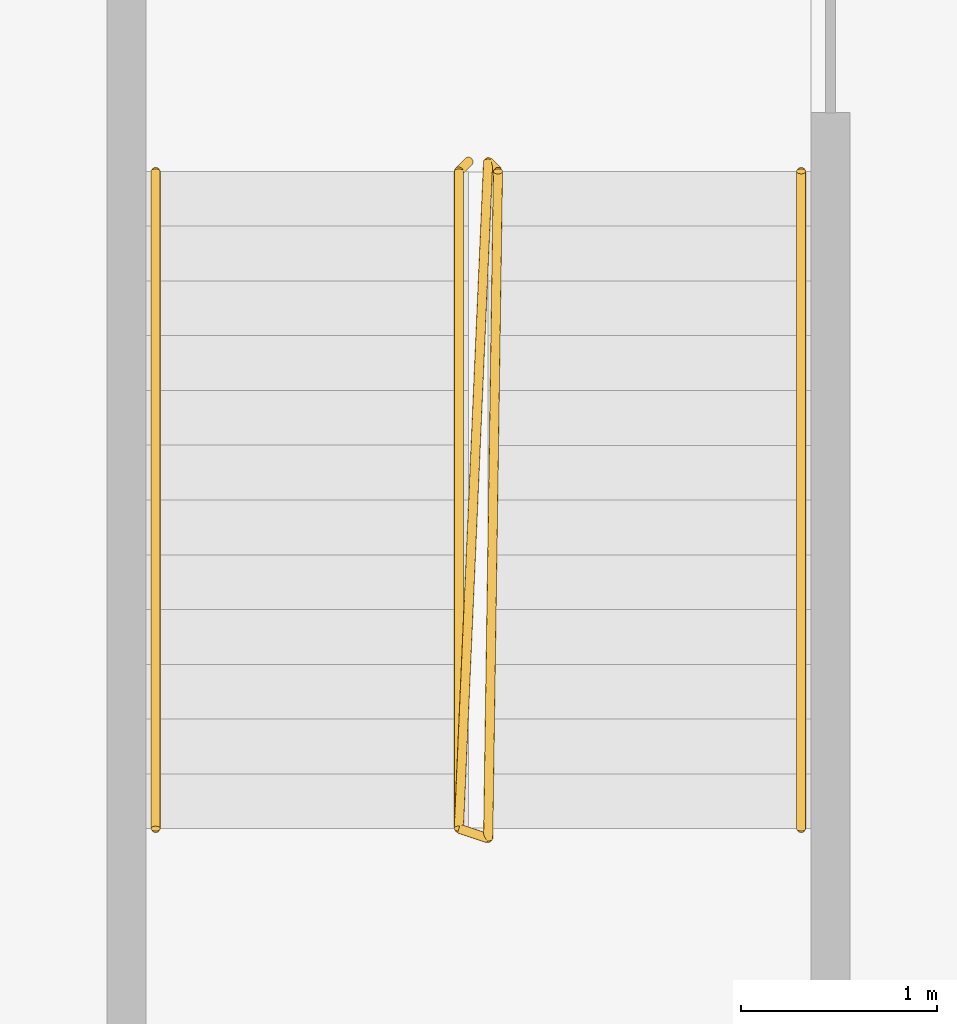
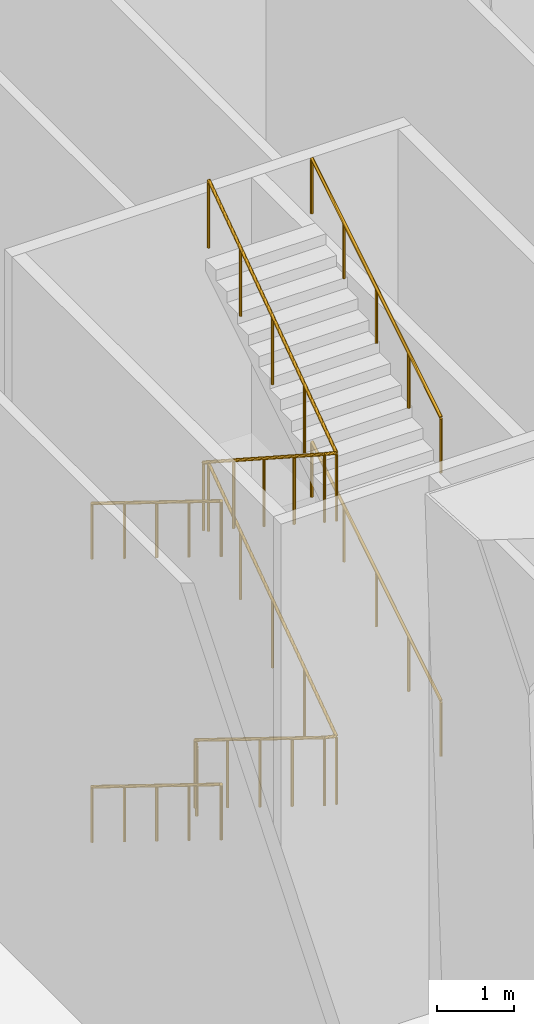
# One storey, part 17 of 21: 5 railings.
"""IFC4 building model written with IfcOpenShell, lengths in metres."""

from ifc_helpers import new_model, si_unit, direction, frame, origin, origin_2d, place, context, subcontext, project, spatial, circle, extrude, material, type_object, element, save


model = new_model("IFC4")

# Units and contexts
model_context = context("Model", 3, precision=1e-05, world=origin(), true_north=direction((0.0, 1.0)))
body_context = subcontext(model_context, "Body", "Model", "MODEL_VIEW")
ifc_project = project(units=[si_unit("LENGTHUNIT", "METRE"), si_unit("AREAUNIT", "SQUARE_METRE"), si_unit("VOLUMEUNIT", "CUBIC_METRE"), si_unit("PLANEANGLEUNIT", "RADIAN"), si_unit("MASSUNIT", "GRAM", prefix="KILO")], contexts=[model_context])

# Site, building, storey
site_placement = place(None, origin())
site = spatial("IfcSite", under=ifc_project, at=site_placement, CompositionType="ELEMENT")
building_placement = place(site_placement, origin())
building = spatial("IfcBuilding", under=site, at=building_placement, Name="Altiplano Prism Tower", CompositionType="ELEMENT")
storey_placement = place(building_placement, origin())
storey = spatial("IfcBuildingStorey", under=building, at=storey_placement, Name="L00", CompositionType="ELEMENT", Elevation=0.0)

# Railings
ifc_material = material(Name="Steel S355", Category="steel")
railing_type_1 = type_object("IfcRailingType", Name="Stair guard 1100", PredefinedType="GUARDRAIL", material=ifc_material)
railing_1_placement = place(storey_placement, frame((83.85009765625, 58.39990234375, 0.0)))
element("IfcRailing", 1, at=railing_1_placement, inside=storey, type_object=railing_type_1, Name="L00 ST4 stair guard 1", PredefinedType="GUARDRAIL", context=body_context, shape_type="SweptSolid", body=[
    extrude(circle(Radius=0.02392578125, at=origin_2d()), frame((0.0, 0.0, 1.076171875), z_axis=(-0.267723051232, -0.266417085129, 0.925929967433), x_axis=(0.705375805398, -0.708833529934, 0.0)), (0.0, 0.0, 1.0), 0.18701171875),
    extrude(circle(Radius=0.02392578125, at=origin_2d()), frame((-0.050048828125, -0.0498046875, 1.2490234375), z_axis=(0.0, -0.850623216509, 0.525775754039), x_axis=(1.0, 0.0, 0.0)), (0.0, 0.0, 1.0), 3.9501953125),
    extrude(circle(Radius=0.02392578125, at=origin_2d()), frame((-0.050048828125, -3.409912109375, 3.326171875), z_axis=(0.948528701346, -0.316691178788, 0.0), x_axis=(0.316691178788, 0.948528701346, 0.0)), (0.0, 0.0, 1.0), 0.157958984375),
    extrude(circle(Radius=0.02392578125, at=origin_2d()), frame((0.099853515625, -3.4599609375, 3.326171875), z_axis=(0.01224930618, 0.834625896233, 0.5506810037), x_axis=(-0.99989231899, 0.014674822837, 0.0)), (0.0, 0.0, 1.0), 4.0859375),
    extrude(circle(Radius=0.02392578125, at=origin_2d()), frame((0.14990234375, -0.0498046875, 5.576171875), z_axis=(-0.708833529934, 0.705375805398, 0.0), x_axis=(-0.705375805398, -0.708833529934, 0.0)), (0.0, 0.0, 1.0), 0.070556640625),
    extrude(circle(Radius=0.02392578125, at=origin_2d()), frame((0.099853515625, 0.0, 5.576171875), z_axis=(-0.036668072879, -0.834109078025, 0.550379413122), x_axis=(0.999035123863, -0.043918347967, 0.0)), (0.0, 0.0, 1.0), 4.088134765625),
    extrude(circle(Radius=0.02392578125, at=origin_2d()), frame((-0.050048828125, -3.409912109375, 7.826171875), z_axis=(0.948528701346, -0.316691178788, 0.0), x_axis=(0.316691178788, 0.948528701346, 0.0)), (0.0, 0.0, 1.0), 0.157958984375),
    extrude(circle(Radius=0.02392578125, at=origin_2d()), frame((0.099853515625, -3.4599609375, 7.826171875), z_axis=(0.01224930618, 0.834625896233, 0.5506810037), x_axis=(-0.99989231899, 0.014674822837, 0.0)), (0.0, 0.0, 1.0), 4.0859375),
    extrude(circle(Radius=0.02099609375, at=origin_2d()), origin(), (0.0, 0.0, 1.0), 1.052001953125),
    extrude(circle(Radius=0.02099609375, at=origin_2d()), frame((-0.050048828125, -0.0498046875, 0.173095703125)), (0.0, 0.0, 1.0), 1.052001953125),
    extrude(circle(Radius=0.02099609375, at=origin_2d()), frame((-0.050048828125, -0.889892578125, 0.6923828125)), (0.0, 0.0, 1.0), 1.052001953125),
    extrude(circle(Radius=0.02099609375, at=origin_2d()), frame((-0.050048828125, -1.72998046875, 1.21142578125)), (0.0, 0.0, 1.0), 1.052001953125),
    extrude(circle(Radius=0.02099609375, at=origin_2d()), frame((-0.050048828125, -2.56982421875, 1.730712890625)), (0.0, 0.0, 1.0), 1.052001953125),
    extrude(circle(Radius=0.02099609375, at=origin_2d()), frame((-0.050048828125, -3.409912109375, 2.25)), (0.0, 0.0, 1.0), 1.052001953125),
    extrude(circle(Radius=0.02099609375, at=origin_2d()), frame((0.099853515625, -3.4599609375, 2.25)), (0.0, 0.0, 1.0), 1.052001953125),
    extrude(circle(Radius=0.02099609375, at=origin_2d()), frame((0.1123046875, -2.607421875, 2.8125)), (0.0, 0.0, 1.0), 1.052001953125),
    extrude(circle(Radius=0.02099609375, at=origin_2d()), frame((0.125, -1.7548828125, 3.375)), (0.0, 0.0, 1.0), 1.052001953125),
    extrude(circle(Radius=0.02099609375, at=origin_2d()), frame((0.137451171875, -0.90234375, 3.9375)), (0.0, 0.0, 1.0), 1.052001953125),
    extrude(circle(Radius=0.02099609375, at=origin_2d()), frame((0.14990234375, -0.0498046875, 4.5)), (0.0, 0.0, 1.0), 1.052001953125),
    extrude(circle(Radius=0.02099609375, at=origin_2d()), frame((0.099853515625, 0.0, 4.5)), (0.0, 0.0, 1.0), 1.052001953125),
    extrude(circle(Radius=0.02099609375, at=origin_2d()), frame((0.0625, -0.8525390625, 5.0625)), (0.0, 0.0, 1.0), 1.052001953125),
    extrude(circle(Radius=0.02099609375, at=origin_2d()), frame((0.02490234375, -1.705078125, 5.625)), (0.0, 0.0, 1.0), 1.052001953125),
    extrude(circle(Radius=0.02099609375, at=origin_2d()), frame((-0.0126953125, -2.557373046875, 6.1875)), (0.0, 0.0, 1.0), 1.052001953125),
    extrude(circle(Radius=0.02099609375, at=origin_2d()), frame((-0.050048828125, -3.409912109375, 6.75)), (0.0, 0.0, 1.0), 1.052001953125),
    extrude(circle(Radius=0.02099609375, at=origin_2d()), frame((0.099853515625, -3.4599609375, 6.75)), (0.0, 0.0, 1.0), 1.052001953125),
    extrude(circle(Radius=0.02099609375, at=origin_2d()), frame((0.1123046875, -2.607421875, 7.3125)), (0.0, 0.0, 1.0), 1.052001953125),
    extrude(circle(Radius=0.02099609375, at=origin_2d()), frame((0.125, -1.7548828125, 7.875)), (0.0, 0.0, 1.0), 1.052001953125),
    extrude(circle(Radius=0.02099609375, at=origin_2d()), frame((0.137451171875, -0.90234375, 8.4375)), (0.0, 0.0, 1.0), 1.052001953125),
    extrude(circle(Radius=0.02099609375, at=origin_2d()), frame((0.14990234375, -0.0498046875, 9.0)), (0.0, 0.0, 1.0), 1.052001953125),
])
railing_type_2 = type_object("IfcRailingType", Name="Stair handrail 900", PredefinedType="HANDRAIL", material=ifc_material)
railing_2_placement = place(storey_placement, frame((82.25, 58.35009765625, 0.173095703125)))
element("IfcRailing", 2, at=railing_2_placement, inside=storey, type_object=railing_type_2, Name="L00 ST4 stair handrail 1", PredefinedType="HANDRAIL", context=body_context, shape_type="SweptSolid", body=[
    extrude(circle(Radius=0.02392578125, at=origin_2d()), frame((0.0, 0.0, 0.8759765625), z_axis=(0.0, -0.850623216509, 0.525775754039), x_axis=(1.0, 0.0, 0.0)), (0.0, 0.0, 1.0), 3.9501953125),
    extrude(circle(Radius=0.02099609375, at=origin_2d()), origin(), (0.0, 0.0, 1.0), 0.851806640625),
    extrude(circle(Radius=0.02099609375, at=origin_2d()), frame((0.0, -0.840087890625, 0.519287109375)), (0.0, 0.0, 1.0), 0.851806640625),
    extrude(circle(Radius=0.02099609375, at=origin_2d()), frame((0.0, -1.68017578125, 1.03857421875)), (0.0, 0.0, 1.0), 0.851806640625),
    extrude(circle(Radius=0.02099609375, at=origin_2d()), frame((0.0, -2.52001953125, 1.5576171875)), (0.0, 0.0, 1.0), 0.851806640625),
    extrude(circle(Radius=0.02099609375, at=origin_2d()), frame((0.0, -3.360107421875, 2.076904296875)), (0.0, 0.0, 1.0), 0.851806640625),
])
railing_3_placement = place(storey_placement, frame((85.550048828125, 54.989990234375, 2.423095703125)))
element("IfcRailing", 3, at=railing_3_placement, inside=storey, type_object=railing_type_2, Name="L00 ST4 stair handrail 2", PredefinedType="HANDRAIL", context=body_context, shape_type="SweptSolid", body=[
    extrude(circle(Radius=0.02392578125, at=origin_2d()), frame((0.0, 0.0, 0.8759765625), z_axis=(0.0, 0.850623216509, 0.525775754039), x_axis=(-1.0, 0.0, 0.0)), (0.0, 0.0, 1.0), 3.9501953125),
    extrude(circle(Radius=0.02099609375, at=origin_2d()), origin(), (0.0, 0.0, 1.0), 0.851806640625),
    extrude(circle(Radius=0.02099609375, at=origin_2d()), frame((0.0, 0.840087890625, 0.519287109375)), (0.0, 0.0, 1.0), 0.851806640625),
    extrude(circle(Radius=0.02099609375, at=origin_2d()), frame((0.0, 1.68017578125, 1.03857421875)), (0.0, 0.0, 1.0), 0.851806640625),
    extrude(circle(Radius=0.02099609375, at=origin_2d()), frame((0.0, 2.52001953125, 1.5576171875)), (0.0, 0.0, 1.0), 0.851806640625),
    extrude(circle(Radius=0.02099609375, at=origin_2d()), frame((0.0, 3.360107421875, 2.076904296875)), (0.0, 0.0, 1.0), 0.851806640625),
])
railing_4_placement = place(storey_placement, frame((82.25, 58.35009765625, 4.673095703125)))
element("IfcRailing", 4, at=railing_4_placement, inside=storey, type_object=railing_type_2, Name="L00 ST4 stair handrail 3", PredefinedType="HANDRAIL", context=body_context, shape_type="SweptSolid", body=[
    extrude(circle(Radius=0.02392578125, at=origin_2d()), frame((0.0, 0.0, 0.8759765625), z_axis=(0.0, -0.850623216509, 0.525775754039), x_axis=(1.0, 0.0, 0.0)), (0.0, 0.0, 1.0), 3.9501953125),
    extrude(circle(Radius=0.02099609375, at=origin_2d()), origin(), (0.0, 0.0, 1.0), 0.851806640625),
    extrude(circle(Radius=0.02099609375, at=origin_2d()), frame((0.0, -0.840087890625, 0.519287109375)), (0.0, 0.0, 1.0), 0.851806640625),
    extrude(circle(Radius=0.02099609375, at=origin_2d()), frame((0.0, -1.68017578125, 1.03857421875)), (0.0, 0.0, 1.0), 0.851806640625),
    extrude(circle(Radius=0.02099609375, at=origin_2d()), frame((0.0, -2.52001953125, 1.5576171875)), (0.0, 0.0, 1.0), 0.851806640625),
    extrude(circle(Radius=0.02099609375, at=origin_2d()), frame((0.0, -3.360107421875, 2.076904296875)), (0.0, 0.0, 1.0), 0.851806640625),
])
railing_5_placement = place(storey_placement, frame((85.550048828125, 54.989990234375, 6.923095703125)))
element("IfcRailing", 5, at=railing_5_placement, inside=storey, type_object=railing_type_2, Name="L00 ST4 stair handrail 4", PredefinedType="HANDRAIL", context=body_context, shape_type="SweptSolid", body=[
    extrude(circle(Radius=0.02392578125, at=origin_2d()), frame((0.0, 0.0, 0.8759765625), z_axis=(0.0, 0.850623216509, 0.525775754039), x_axis=(-1.0, 0.0, 0.0)), (0.0, 0.0, 1.0), 3.9501953125),
    extrude(circle(Radius=0.02099609375, at=origin_2d()), origin(), (0.0, 0.0, 1.0), 0.851806640625),
    extrude(circle(Radius=0.02099609375, at=origin_2d()), frame((0.0, 0.840087890625, 0.519287109375)), (0.0, 0.0, 1.0), 0.851806640625),
    extrude(circle(Radius=0.02099609375, at=origin_2d()), frame((0.0, 1.68017578125, 1.03857421875)), (0.0, 0.0, 1.0), 0.851806640625),
    extrude(circle(Radius=0.02099609375, at=origin_2d()), frame((0.0, 2.52001953125, 1.5576171875)), (0.0, 0.0, 1.0), 0.851806640625),
    extrude(circle(Radius=0.02099609375, at=origin_2d()), frame((0.0, 3.360107421875, 2.076904296875)), (0.0, 0.0, 1.0), 0.851806640625),
])

save(model, "model.ifc")
